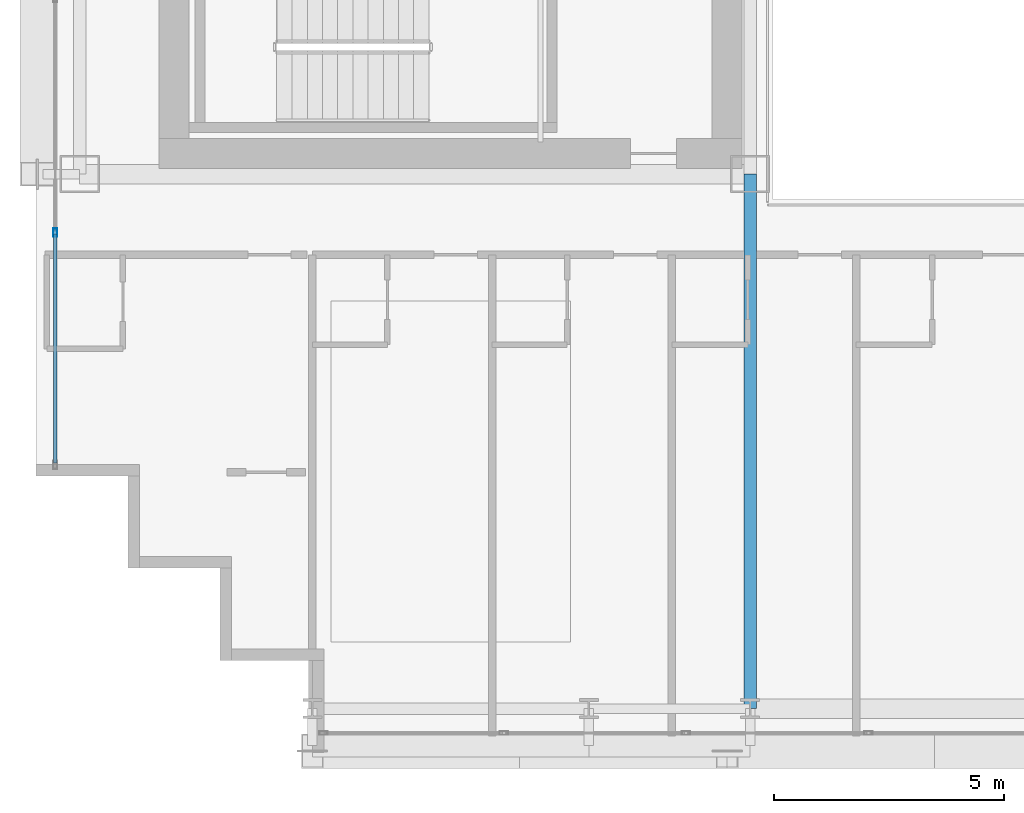
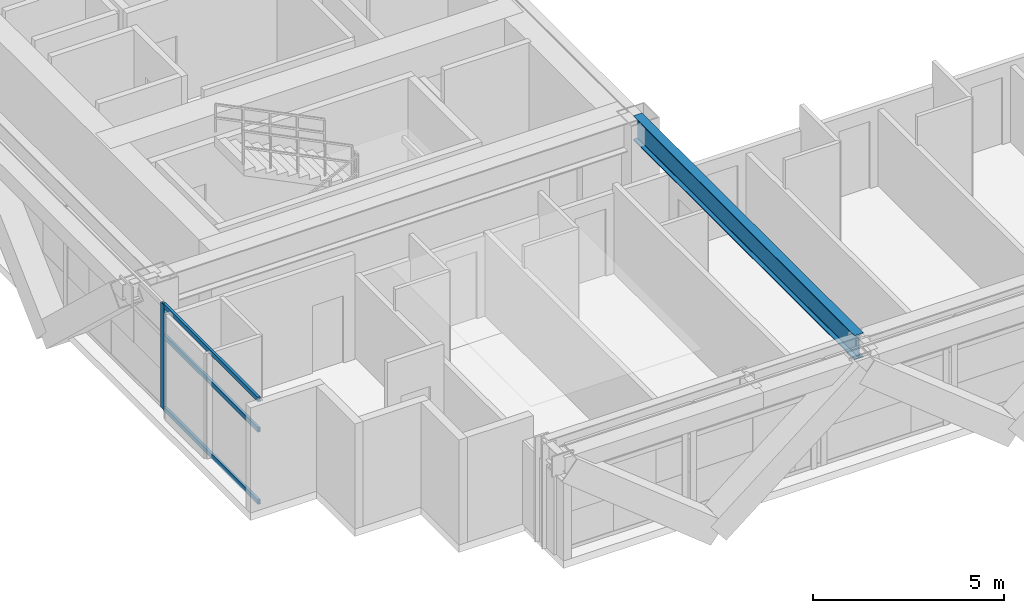
# One storey, part 3 of 36: 4 members, 1 beam, 1 element without a shape of its own.
"""IFC4 building model written with IfcOpenShell, lengths in metres."""

from ifc_helpers import new_model, si_unit, direction, frame, origin, origin_2d, place, context, subcontext, project, spatial, hollow_rectangle, i_section, extrude, source, transform, mapped, material, layer, layer_set, material_profile, profile_set, type_object, element, aggregate, save


model = new_model("IFC4")

# Units and contexts
model_context = context("Model", 3, precision=1e-05, world=origin(), true_north=direction((0.0, 1.0)))
body_context = subcontext(model_context, "Body", "Model", "MODEL_VIEW")
ifc_project = project(units=[si_unit("LENGTHUNIT", "METRE"), si_unit("AREAUNIT", "SQUARE_METRE"), si_unit("VOLUMEUNIT", "CUBIC_METRE"), si_unit("PLANEANGLEUNIT", "RADIAN"), si_unit("MASSUNIT", "GRAM", prefix="KILO")], contexts=[model_context])

# Site, building, storey
site_placement = place(None, origin())
site = spatial("IfcSite", under=ifc_project, at=site_placement, CompositionType="ELEMENT")
building_placement = place(site_placement, origin())
building = spatial("IfcBuilding", under=site, at=building_placement, Name="Ocotamira Hotel", CompositionType="ELEMENT")
storey_placement = place(building_placement, frame((0.0, 0.0, 129.60009765625)))
storey = spatial("IfcBuildingStorey", under=building, at=storey_placement, Name="L32", CompositionType="ELEMENT", Elevation=129.60009765625)

# Beam
ifc_material_1 = material(Name="Steel ASTM A992 Grade 50", Category="steel")
ifc_material_profile_1 = material_profile(ifc_material_1, i_section(OverallWidth=0.26611328125, OverallDepth=0.779052734375, WebThickness=0.0166015625, FlangeThickness=0.030029296875, FilletRadius=0.01806640625, at=origin_2d()), Name="W30X148")
ifc_profile_set_1 = profile_set([ifc_material_profile_1], Name="Steel ASTM A992 Grade 50")
beam_type = type_object("IfcBeamType", Name="BM-GIRD-W30X148", PredefinedType="BEAM", material=ifc_profile_set_1)
shared_shape_1 = source(origin(), body_context, "Body", "SweptSolid", [
    extrude(i_section(OverallWidth=0.26611328125, OverallDepth=0.779052734375, WebThickness=0.0166015625, FlangeThickness=0.030029296875, FilletRadius=0.01806640625, at=origin_2d()), origin(), (0.0, 0.0, 1.0), 11.60009765625),
])
beam_placement = place(storey_placement, frame((23.5, 2.949951171875, 2.970458984375), z_axis=(0.0, 1.0, 0.0), x_axis=(-1.0, 0.0, 0.0)))
element("IfcBeam", 1, at=beam_placement, inside=storey, type_object=beam_type, Name="L32 Beam X23.5 Y2.95-14.55", PredefinedType="BEAM", context=body_context, shape_type="MappedRepresentation", body=[
    mapped(shared_shape_1, transform((0.0, 0.0, 0.0), scale=1.0)),
])

# Curtain wall, members
ifc_material_2 = material(Name="Anodised pale-metal aluminium and solar glass", Category="aluminium")
ifc_layer = layer(ifc_material_2, 0.179931640625)
ifc_layer_set = layer_set([ifc_layer], Name="Anodised pale-metal aluminium and solar glass")
curtain_wall_type = type_object("IfcCurtainWallType", Name="CW-SYS3-Z2", PredefinedType="NOTDEFINED", material=ifc_layer_set)
curtain_wall_placement = place(storey_placement, origin())
curtain_wall = element("IfcCurtainWall", 2, at=curtain_wall_placement, inside=storey, type_object=curtain_wall_type, Name="L32 Curtain Wall CW-3 CW-L32-W", PredefinedType="NOTDEFINED")
ifc_material_3 = material(Name="Anodised pale-metal aluminium 6063-T6", Category="aluminium")
ifc_material_profile_2 = material_profile(ifc_material_3, hollow_rectangle(XDim=0.074951171875, YDim=0.14990234375, WallThickness=0.006103515625, at=origin_2d()), Name="HSS150X75X6")
ifc_profile_set_2 = profile_set([ifc_material_profile_2], Name="Anodised pale-metal aluminium 6063-T6")
member_type_1 = type_object("IfcMemberType", Name="CWT-150X75", PredefinedType="USERDEFINED", material=ifc_profile_set_2)
shared_shape_2 = source(origin(), body_context, "Body", "SweptSolid", [
    extrude(hollow_rectangle(XDim=0.074951171875, YDim=0.14990234375, WallThickness=0.006103515625, at=origin_2d()), origin(), (0.0, 0.0, 1.0), 4.965576171875),
])
member_1_placement = place(storey_placement, frame((8.419921875, 8.280029296875, 0.037353515625), z_axis=(0.0, 1.0, 0.0), x_axis=(-1.0, 0.0, 0.0)))
member_1 = element("IfcMember", 3, at=member_1_placement, type_object=member_type_1, Name="CW-3 transom 1.1", ObjectType="TRANSOM", PredefinedType="USERDEFINED", context=body_context, shape_type="MappedRepresentation", body=[
    mapped(shared_shape_2, transform((0.0, 0.0, 0.0), scale=1.0)),
])
member_2_placement = place(storey_placement, frame((8.419921875, 8.280029296875, 2.349853515625), z_axis=(0.0, 1.0, 0.0), x_axis=(-1.0, 0.0, 0.0)))
member_2 = element("IfcMember", 4, at=member_2_placement, type_object=member_type_1, Name="CW-3 transom 1.2", ObjectType="TRANSOM", PredefinedType="USERDEFINED", context=body_context, shape_type="MappedRepresentation", body=[
    mapped(shared_shape_2, transform((0.0, 0.0, 0.0), scale=1.0)),
])
member_3_placement = place(storey_placement, frame((8.419921875, 8.280029296875, 3.322509765625), z_axis=(0.0, 1.0, 0.0), x_axis=(-1.0, 0.0, 0.0)))
member_3 = element("IfcMember", 5, at=member_3_placement, type_object=member_type_1, Name="CW-3 transom 1.3", ObjectType="TRANSOM", PredefinedType="USERDEFINED", context=body_context, shape_type="MappedRepresentation", body=[
    mapped(shared_shape_2, transform((0.0, 0.0, 0.0), scale=1.0)),
])
ifc_material_profile_3 = material_profile(ifc_material_3, hollow_rectangle(XDim=0.080078125, YDim=0.179931640625, WallThickness=0.006103515625, at=origin_2d()), Name="HSS180X80X6")
ifc_profile_set_3 = profile_set([ifc_material_profile_3], Name="Anodised pale-metal aluminium 6063-T6")
member_type_2 = type_object("IfcMemberType", Name="CWM-180X75", PredefinedType="MULLION", material=ifc_profile_set_3)
shared_shape_3 = source(origin(), body_context, "Body", "SweptSolid", [
    extrude(hollow_rectangle(XDim=0.080078125, YDim=0.179931640625, WallThickness=0.006103515625, at=origin_2d()), origin(), (0.0, 0.0, 1.0), 3.35986328125),
])
member_4_placement = place(storey_placement, frame((8.419921875, 13.28564453125, 0.0), z_axis=(0.0, 0.0, 1.0), x_axis=(-1.0, 0.0, 0.0)))
member_4 = element("IfcMember", 6, at=member_4_placement, type_object=member_type_2, Name="CW-3 mullion 2", PredefinedType="MULLION", context=body_context, shape_type="MappedRepresentation", body=[
    mapped(shared_shape_3, transform((0.0, 0.0, 0.0), scale=1.0)),
])
aggregate(curtain_wall, [member_4, member_1, member_2, member_3])

save(model, "model.ifc")
